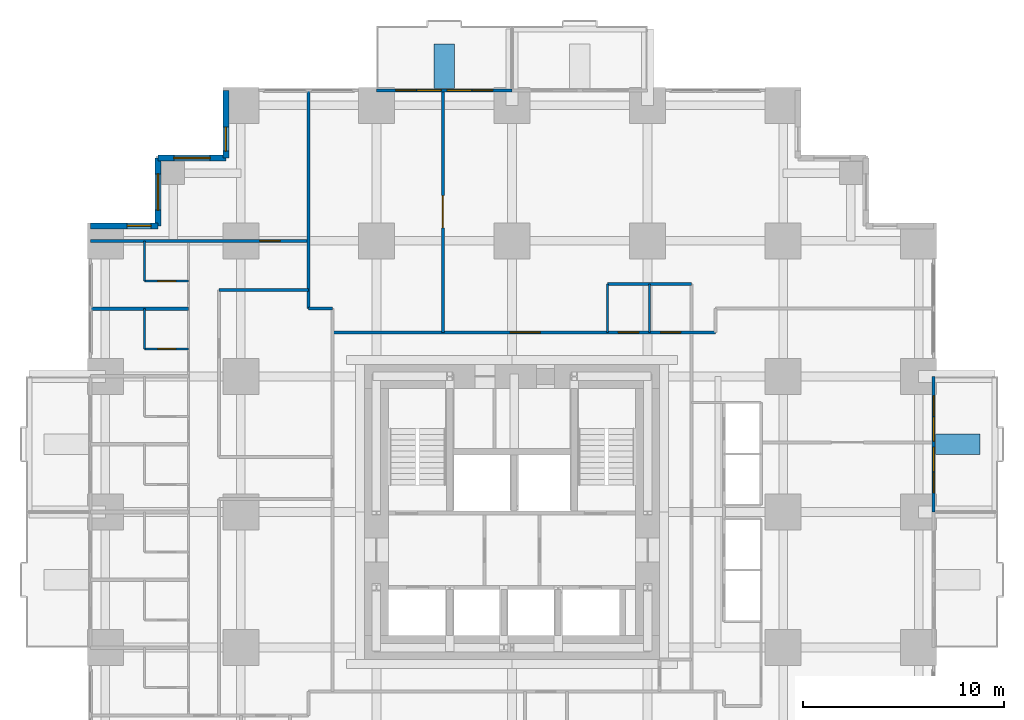
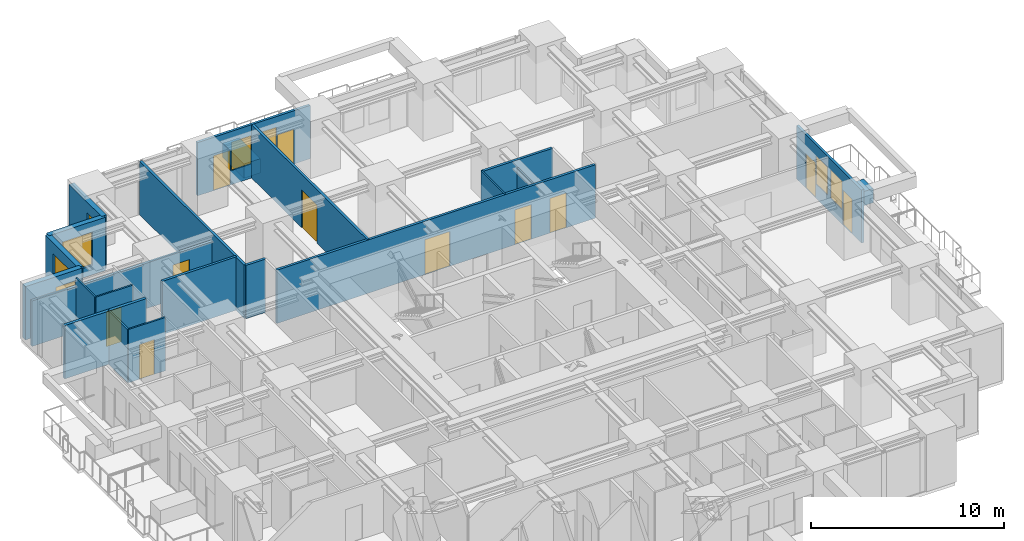
# One storey, part 10 of 13: 22 walls, 11 doors, 8 windows, 19 openings.
"""IFC4 building model written with IfcOpenShell, lengths in metres."""

from ifc_helpers import new_model, si_unit, direction, frame, frame_2d, origin, place, context, subcontext, project, spatial, rectangle, extrude, material, layer, layer_set, type_object, element, fill, save


model = new_model("IFC4")

# Units and contexts
model_context = context("Model", 3, precision=1e-05, world=origin(), true_north=direction((0.0, 1.0)))
body_context = subcontext(model_context, "Body", "Model", "MODEL_VIEW")
ifc_project = project(units=[si_unit("LENGTHUNIT", "METRE"), si_unit("AREAUNIT", "SQUARE_METRE"), si_unit("VOLUMEUNIT", "CUBIC_METRE"), si_unit("PLANEANGLEUNIT", "RADIAN"), si_unit("MASSUNIT", "GRAM", prefix="KILO")], contexts=[model_context])

# Site, building, storey
site_placement = place(None, origin())
site = spatial("IfcSite", under=ifc_project, at=site_placement, CompositionType="ELEMENT")
building_placement = place(site_placement, origin())
building = spatial("IfcBuilding", under=site, at=building_placement, Name="Nyansa Garden Tower", CompositionType="ELEMENT")
storey_placement = place(building_placement, frame((0.0, 0.0, 46.800048828125)))
storey = spatial("IfcBuildingStorey", under=building, at=storey_placement, Name="L12", CompositionType="ELEMENT", Elevation=46.800048828125)

# Wall
ifc_material_1 = material(Name="Dense blockwork, plastered both sides, 55 dB", Category="masonry")
ifc_layer_1 = layer(ifc_material_1, 0.175048828125)
ifc_layer_set_1 = layer_set([ifc_layer_1], Name="Acoustic party wall PW175")
wall_type_1 = type_object("IfcWallType", Name="Acoustic party wall PW175", PredefinedType="PARTITIONING", material=ifc_layer_set_1)
wall_1_placement = place(storey_placement, frame((-0.73388671875, 30.375, 0.0), z_axis=(0.0, 0.0, 1.0), x_axis=(1.0, 0.0, 0.0)))
element("IfcWall", 1, at=wall_1_placement, inside=storey, type_object=wall_type_1, Name="Party wall", PredefinedType="PARTITIONING", context=body_context, shape_type="SweptSolid", body=[
    extrude(rectangle(XDim=4.8837890625, YDim=0.175048828125, at=frame_2d((2.44189453125, 0.0))), origin(), (0.0, 0.0, 1.0), 3.375),
])

# Wall, openings, doors, windows
ifc_material_2 = material(Name="Black aluminium framed glazed screen", Category="aluminium")
ifc_layer_2 = layer(ifc_material_2, 0.14990234375)
ifc_layer_set_2 = layer_set([ifc_layer_2], Name="Balcony screen wall BW150")
wall_type_2 = type_object("IfcWallType", Name="Balcony screen wall BW150", PredefinedType="SOLIDWALL", material=ifc_layer_set_2)
wall_2_placement = place(storey_placement, frame((41.25, 27.0, 0.0), z_axis=(0.0, 0.0, 1.0), x_axis=(0.0, -1.0, 0.0)))
wall_2 = element("IfcWall", 2, at=wall_2_placement, inside=storey, type_object=wall_type_2, Name="Glazed screen wall L12 E", PredefinedType="SOLIDWALL", context=body_context, shape_type="SweptSolid", body=[
    extrude(rectangle(XDim=6.75, YDim=0.14990234375, at=frame_2d((3.375, 0.0))), origin(), (0.0, 0.0, 1.0), 3.375),
])
opening_1_placement = place(wall_2_placement, frame((0.96240234375, 0.0, 0.0)))
opening_1 = element("IfcOpeningElement", 3, at=opening_1_placement, cuts=wall_2, Name="Opening D20", PredefinedType="OPENING", context=body_context, shape_type="SweptSolid", body=[
    extrude(rectangle(XDim=1.0, YDim=2.199951171875, at=frame_2d((0.5, 1.10009765625))), frame((0.0, 0.0849609375, 0.0), z_axis=(0.0, -1.0, 0.0), x_axis=(1.0, 0.0, 0.0)), (0.0, 0.0, 1.0), 0.169921875),
])
opening_2_placement = place(wall_2_placement, frame((2.02490234375, 0.0, 0.89990234375)))
opening_2 = element("IfcOpeningElement", 4, at=opening_2_placement, cuts=wall_2, Name="Opening W6", PredefinedType="OPENING", context=body_context, shape_type="SweptSolid", body=[
    extrude(rectangle(XDim=1.199951171875, YDim=1.800048828125, at=frame_2d((0.60009765625, 0.89990234375))), frame((0.0, 0.0849609375, 0.0), z_axis=(0.0, -1.0, 0.0), x_axis=(1.0, 0.0, 0.0)), (0.0, 0.0, 1.0), 0.169921875),
])
opening_3_placement = place(wall_2_placement, frame((4.78759765625, 0.0, 0.0)))
opening_3 = element("IfcOpeningElement", 5, at=opening_3_placement, cuts=wall_2, Name="Opening D20", PredefinedType="OPENING", context=body_context, shape_type="SweptSolid", body=[
    extrude(rectangle(XDim=1.0, YDim=2.199951171875, at=frame_2d((0.5, 1.10009765625))), frame((0.0, 0.0849609375, 0.0), z_axis=(0.0, -1.0, 0.0), x_axis=(1.0, 0.0, 0.0)), (0.0, 0.0, 1.0), 0.169921875),
])
opening_4_placement = place(wall_2_placement, frame((3.52490234375, 0.0, 0.89990234375)))
opening_4 = element("IfcOpeningElement", 6, at=opening_4_placement, cuts=wall_2, Name="Opening W6", PredefinedType="OPENING", context=body_context, shape_type="SweptSolid", body=[
    extrude(rectangle(XDim=1.199951171875, YDim=1.800048828125, at=frame_2d((0.60009765625, 0.89990234375))), frame((0.0, 0.0849609375, 0.0), z_axis=(0.0, -1.0, 0.0), x_axis=(1.0, 0.0, 0.0)), (0.0, 0.0, 1.0), 0.169921875),
])
ifc_material_3 = material(Name="Black aluminium framed glazed door", Category="aluminium")
door_type_1 = type_object("IfcDoorType", Name="Balcony door D20 1000x2200", OperationType="NOTDEFINED", PredefinedType="DOOR", material=ifc_material_3)
door_1_placement = place(opening_1_placement, origin())
door_1 = element("IfcDoor", 7, at=door_1_placement, inside=storey, type_object=door_type_1, Name="Balcony door L12", OperationType="SINGLE_SWING_LEFT", OverallHeight=2.199951171875, OverallWidth=1.0, PredefinedType="DOOR", context=body_context, shape_type="SweptSolid", body=[
    extrude(rectangle(XDim=1.0, YDim=2.199951171875, at=frame_2d((0.5, 1.10009765625))), frame((0.0, 0.02490234375, 0.0), z_axis=(0.0, -1.0, 0.0), x_axis=(1.0, 0.0, 0.0)), (0.0, 0.0, 1.0), 0.050048828125),
])
fill(opening_1, door_1)
door_2_placement = place(opening_3_placement, origin())
door_2 = element("IfcDoor", 8, at=door_2_placement, inside=storey, type_object=door_type_1, Name="Balcony door L12", OperationType="SINGLE_SWING_RIGHT", OverallHeight=2.199951171875, OverallWidth=1.0, PredefinedType="DOOR", context=body_context, shape_type="SweptSolid", body=[
    extrude(rectangle(XDim=1.0, YDim=2.199951171875, at=frame_2d((0.5, 1.10009765625))), frame((0.0, 0.02490234375, 0.0), z_axis=(0.0, -1.0, 0.0), x_axis=(1.0, 0.0, 0.0)), (0.0, 0.0, 1.0), 0.050048828125),
])
fill(opening_3, door_2)
ifc_material_4 = material(Name="Black aluminium frame, dark tinted double glazing", Category="aluminium")
window_type_1 = type_object("IfcWindowType", Name="Balcony window W6 1200x1800", PartitioningType="SINGLE_PANEL", PredefinedType="WINDOW", material=ifc_material_4)
window_1_placement = place(opening_2_placement, origin())
window_1 = element("IfcWindow", 9, at=window_1_placement, inside=storey, type_object=window_type_1, Name="Window L12", OverallHeight=1.800048828125, OverallWidth=1.199951171875, PartitioningType="SINGLE_PANEL", PredefinedType="WINDOW", context=body_context, shape_type="SweptSolid", body=[
    extrude(rectangle(XDim=1.199951171875, YDim=1.800048828125, at=frame_2d((0.60009765625, 0.89990234375))), frame((0.0, 0.030029296875, 0.0), z_axis=(0.0, -1.0, 0.0), x_axis=(1.0, 0.0, 0.0)), (0.0, 0.0, 1.0), 0.06005859375),
])
fill(opening_2, window_1)
window_2_placement = place(opening_4_placement, origin())
window_2 = element("IfcWindow", 10, at=window_2_placement, inside=storey, type_object=window_type_1, Name="Window L12", OverallHeight=1.800048828125, OverallWidth=1.199951171875, PartitioningType="SINGLE_PANEL", PredefinedType="WINDOW", context=body_context, shape_type="SweptSolid", body=[
    extrude(rectangle(XDim=1.199951171875, YDim=1.800048828125, at=frame_2d((0.60009765625, 0.89990234375))), frame((0.0, 0.030029296875, 0.0), z_axis=(0.0, -1.0, 0.0), x_axis=(1.0, 0.0, 0.0)), (0.0, 0.0, 1.0), 0.06005859375),
])
fill(opening_4, window_2)

wall_3_placement = place(storey_placement, frame((13.5, 41.25, 0.0), z_axis=(0.0, 0.0, 1.0), x_axis=(1.0, 0.0, 0.0)))
wall_3 = element("IfcWall", 11, at=wall_3_placement, inside=storey, type_object=wall_type_2, Name="Glazed screen wall L12 N", PredefinedType="SOLIDWALL", context=body_context, shape_type="SweptSolid", body=[
    extrude(rectangle(XDim=6.75, YDim=0.14990234375, at=frame_2d((3.375, 0.0))), origin(), (0.0, 0.0, 1.0), 3.375),
])
opening_5_placement = place(wall_3_placement, frame((0.96240234375, 0.0, 0.0)))
opening_5 = element("IfcOpeningElement", 12, at=opening_5_placement, cuts=wall_3, Name="Opening D20", PredefinedType="OPENING", context=body_context, shape_type="SweptSolid", body=[
    extrude(rectangle(XDim=1.0, YDim=2.199951171875, at=frame_2d((0.5, 1.10009765625))), frame((0.0, 0.0849609375, 0.0), z_axis=(0.0, -1.0, 0.0), x_axis=(1.0, 0.0, 0.0)), (0.0, 0.0, 1.0), 0.169921875),
])
opening_6_placement = place(wall_3_placement, frame((2.02490234375, 0.0, 0.89990234375)))
opening_6 = element("IfcOpeningElement", 13, at=opening_6_placement, cuts=wall_3, Name="Opening W6", PredefinedType="OPENING", context=body_context, shape_type="SweptSolid", body=[
    extrude(rectangle(XDim=1.199951171875, YDim=1.800048828125, at=frame_2d((0.60009765625, 0.89990234375))), frame((0.0, 0.0849609375, 0.0), z_axis=(0.0, -1.0, 0.0), x_axis=(1.0, 0.0, 0.0)), (0.0, 0.0, 1.0), 0.169921875),
])
opening_7_placement = place(wall_3_placement, frame((4.78759765625, 0.0, 0.0)))
opening_7 = element("IfcOpeningElement", 14, at=opening_7_placement, cuts=wall_3, Name="Opening D20", PredefinedType="OPENING", context=body_context, shape_type="SweptSolid", body=[
    extrude(rectangle(XDim=1.0, YDim=2.199951171875, at=frame_2d((0.5, 1.10009765625))), frame((0.0, 0.0849609375, 0.0), z_axis=(0.0, -1.0, 0.0), x_axis=(1.0, 0.0, 0.0)), (0.0, 0.0, 1.0), 0.169921875),
])
opening_8_placement = place(wall_3_placement, frame((3.52490234375, 0.0, 0.89990234375)))
opening_8 = element("IfcOpeningElement", 15, at=opening_8_placement, cuts=wall_3, Name="Opening W6", PredefinedType="OPENING", context=body_context, shape_type="SweptSolid", body=[
    extrude(rectangle(XDim=1.199951171875, YDim=1.800048828125, at=frame_2d((0.60009765625, 0.89990234375))), frame((0.0, 0.0849609375, 0.0), z_axis=(0.0, -1.0, 0.0), x_axis=(1.0, 0.0, 0.0)), (0.0, 0.0, 1.0), 0.169921875),
])
door_3_placement = place(opening_5_placement, origin())
door_3 = element("IfcDoor", 16, at=door_3_placement, inside=storey, type_object=door_type_1, Name="Balcony door L12", OperationType="SINGLE_SWING_LEFT", OverallHeight=2.199951171875, OverallWidth=1.0, PredefinedType="DOOR", context=body_context, shape_type="SweptSolid", body=[
    extrude(rectangle(XDim=1.0, YDim=2.199951171875, at=frame_2d((0.5, 1.10009765625))), frame((0.0, 0.02490234375, 0.0), z_axis=(0.0, -1.0, 0.0), x_axis=(1.0, 0.0, 0.0)), (0.0, 0.0, 1.0), 0.050048828125),
])
fill(opening_5, door_3)
door_4_placement = place(opening_7_placement, origin())
door_4 = element("IfcDoor", 17, at=door_4_placement, inside=storey, type_object=door_type_1, Name="Balcony door L12", OperationType="SINGLE_SWING_RIGHT", OverallHeight=2.199951171875, OverallWidth=1.0, PredefinedType="DOOR", context=body_context, shape_type="SweptSolid", body=[
    extrude(rectangle(XDim=1.0, YDim=2.199951171875, at=frame_2d((0.5, 1.10009765625))), frame((0.0, 0.02490234375, 0.0), z_axis=(0.0, -1.0, 0.0), x_axis=(1.0, 0.0, 0.0)), (0.0, 0.0, 1.0), 0.050048828125),
])
fill(opening_7, door_4)
window_3_placement = place(opening_6_placement, origin())
window_3 = element("IfcWindow", 18, at=window_3_placement, inside=storey, type_object=window_type_1, Name="Window L12", OverallHeight=1.800048828125, OverallWidth=1.199951171875, PartitioningType="SINGLE_PANEL", PredefinedType="WINDOW", context=body_context, shape_type="SweptSolid", body=[
    extrude(rectangle(XDim=1.199951171875, YDim=1.800048828125, at=frame_2d((0.60009765625, 0.89990234375))), frame((0.0, 0.030029296875, 0.0), z_axis=(0.0, -1.0, 0.0), x_axis=(1.0, 0.0, 0.0)), (0.0, 0.0, 1.0), 0.06005859375),
])
fill(opening_6, window_3)
window_4_placement = place(opening_8_placement, origin())
window_4 = element("IfcWindow", 19, at=window_4_placement, inside=storey, type_object=window_type_1, Name="Window L12", OverallHeight=1.800048828125, OverallWidth=1.199951171875, PartitioningType="SINGLE_PANEL", PredefinedType="WINDOW", context=body_context, shape_type="SweptSolid", body=[
    extrude(rectangle(XDim=1.199951171875, YDim=1.800048828125, at=frame_2d((0.60009765625, 0.89990234375))), frame((0.0, 0.030029296875, 0.0), z_axis=(0.0, -1.0, 0.0), x_axis=(1.0, 0.0, 0.0)), (0.0, 0.0, 1.0), 0.06005859375),
])
fill(opening_8, window_4)

# Wall, opening, door
ifc_material_5 = material(Name="Blockwork, plastered both sides", Category="masonry")
ifc_layer_3 = layer(ifc_material_5, 0.14990234375)
ifc_layer_set_3 = layer_set([ifc_layer_3], Name="Partition PW150")
wall_type_3 = type_object("IfcWallType", Name="Partition PW150", PredefinedType="PARTITIONING", material=ifc_layer_set_3)
wall_4_placement = place(storey_placement, frame((-0.73388671875, 33.75, 0.0), z_axis=(0.0, 0.0, 1.0), x_axis=(1.0, 0.0, 0.0)))
wall_4 = element("IfcWall", 20, at=wall_4_placement, inside=storey, type_object=wall_type_3, Name="Partition", PredefinedType="PARTITIONING", context=body_context, shape_type="SweptSolid", body=[
    extrude(rectangle(XDim=10.85888671875, YDim=0.14990234375, at=frame_2d((5.429443359375, 0.0))), origin(), (0.0, 0.0, 1.0), 2.876953125),
])
opening_9_placement = place(wall_4_placement, frame((8.43408203125, 0.0, 0.0)))
opening_9 = element("IfcOpeningElement", 21, at=opening_9_placement, cuts=wall_4, Name="Opening D03", PredefinedType="OPENING", context=body_context, shape_type="SweptSolid", body=[
    extrude(rectangle(XDim=1.0, YDim=2.199951171875, at=frame_2d((0.5, 1.10009765625))), frame((0.0, 0.0849609375, 0.0), z_axis=(0.0, -1.0, 0.0), x_axis=(1.0, 0.0, 0.0)), (0.0, 0.0, 1.0), 0.169921875),
])
ifc_material_6 = material(Name="Timber flush door, 60 minute fire resisting", Category="wood")
door_type_2 = type_object("IfcDoorType", Name="Cluster entrance door D03 1000x2200", OperationType="SINGLE_SWING_LEFT", PredefinedType="DOOR", material=ifc_material_6)
door_5_placement = place(opening_9_placement, origin())
door_5 = element("IfcDoor", 22, at=door_5_placement, inside=storey, type_object=door_type_2, Name="Door L12-057", OperationType="SINGLE_SWING_LEFT", OverallHeight=2.199951171875, OverallWidth=1.0, PredefinedType="DOOR", context=body_context, shape_type="SweptSolid", body=[
    extrude(rectangle(XDim=1.0, YDim=2.199951171875, at=frame_2d((0.5, 1.10009765625))), frame((0.0, 0.02490234375, 0.0), z_axis=(0.0, -1.0, 0.0), x_axis=(1.0, 0.0, 0.0)), (0.0, 0.0, 1.0), 0.050048828125),
])
fill(opening_9, door_5)

# Walls
wall_5_placement = place(storey_placement, frame((5.64990234375, 31.300048828125, 0.0), z_axis=(0.0, 0.0, 1.0), x_axis=(1.0, 0.0, 0.0)))
element("IfcWall", 23, at=wall_5_placement, inside=storey, type_object=wall_type_3, Name="Partition", PredefinedType="PARTITIONING", context=body_context, shape_type="SweptSolid", body=[
    extrude(rectangle(XDim=4.47509765625, YDim=0.14990234375, at=frame_2d((2.237548828125, 0.0))), origin(), (0.0, 0.0, 1.0), 3.375),
])
wall_6_placement = place(storey_placement, frame((10.125, 30.375, 0.0), z_axis=(0.0, 0.0, 1.0), x_axis=(0.0, 1.0, 0.0)))
element("IfcWall", 24, at=wall_6_placement, inside=storey, type_object=wall_type_3, Name="Partition", PredefinedType="PARTITIONING", context=body_context, shape_type="SweptSolid", body=[
    extrude(rectangle(XDim=10.85888671875, YDim=0.14990234375, at=frame_2d((5.429443359375, 0.0))), origin(), (0.0, 0.0, 1.0), 3.375),
])
wall_7_placement = place(storey_placement, frame((10.125, 30.375, 0.0), z_axis=(0.0, 0.0, 1.0), x_axis=(1.0, 0.0, 0.0)))
element("IfcWall", 25, at=wall_7_placement, inside=storey, type_object=wall_type_3, Name="Partition", PredefinedType="PARTITIONING", context=body_context, shape_type="SweptSolid", body=[
    extrude(rectangle(XDim=1.175048828125, YDim=0.14990234375, at=frame_2d((0.58740234375, 0.0))), origin(), (0.0, 0.0, 1.0), 3.375),
])

# Wall, openings, doors
wall_8_placement = place(storey_placement, frame((11.300048828125, 29.199951171875, 0.0), z_axis=(0.0, 0.0, 1.0), x_axis=(1.0, 0.0, 0.0)))
wall_8 = element("IfcWall", 26, at=wall_8_placement, inside=storey, type_object=wall_type_3, Name="Partition", PredefinedType="PARTITIONING", context=body_context, shape_type="SweptSolid", body=[
    extrude(rectangle(XDim=19.074951171875, YDim=0.14990234375, at=frame_2d((9.53759765625, 0.0))), origin(), (0.0, 0.0, 1.0), 3.375),
])
opening_10_placement = place(wall_8_placement, frame((14.25, 0.0, 0.0)))
opening_10 = element("IfcOpeningElement", 27, at=opening_10_placement, cuts=wall_8, Name="Opening D08", PredefinedType="OPENING", context=body_context, shape_type="SweptSolid", body=[
    extrude(rectangle(XDim=1.0, YDim=2.199951171875, at=frame_2d((0.5, 1.10009765625))), frame((0.0, 0.0849609375, 0.0), z_axis=(0.0, -1.0, 0.0), x_axis=(1.0, 0.0, 0.0)), (0.0, 0.0, 1.0), 0.169921875),
])
opening_11_placement = place(wall_8_placement, frame((16.35009765625, 0.0, 0.0)))
opening_11 = element("IfcOpeningElement", 28, at=opening_11_placement, cuts=wall_8, Name="Opening D08", PredefinedType="OPENING", context=body_context, shape_type="SweptSolid", body=[
    extrude(rectangle(XDim=1.0, YDim=2.199951171875, at=frame_2d((0.5, 1.10009765625))), frame((0.0, 0.0849609375, 0.0), z_axis=(0.0, -1.0, 0.0), x_axis=(1.0, 0.0, 0.0)), (0.0, 0.0, 1.0), 0.169921875),
])
opening_12_placement = place(wall_8_placement, frame((8.85888671875, 0.0, 0.0)))
opening_12 = element("IfcOpeningElement", 29, at=opening_12_placement, cuts=wall_8, Name="Opening D10", PredefinedType="OPENING", context=body_context, shape_type="SweptSolid", body=[
    extrude(rectangle(XDim=1.5, YDim=2.199951171875, at=frame_2d((0.75, 1.10009765625))), frame((0.0, 0.0849609375, 0.0), z_axis=(0.0, -1.0, 0.0), x_axis=(1.0, 0.0, 0.0)), (0.0, 0.0, 1.0), 0.169921875),
])
ifc_material_7 = material(Name="Timber flush door, outward opening", Category="wood")
door_type_3 = type_object("IfcDoorType", Name="Accessible WC door D08 1000x2200", OperationType="SINGLE_SWING_LEFT", PredefinedType="DOOR", material=ifc_material_7)
door_6_placement = place(opening_10_placement, origin())
door_6 = element("IfcDoor", 30, at=door_6_placement, inside=storey, type_object=door_type_3, Name="Door L12-039", OperationType="SINGLE_SWING_LEFT", OverallHeight=2.199951171875, OverallWidth=1.0, PredefinedType="DOOR", context=body_context, shape_type="SweptSolid", body=[
    extrude(rectangle(XDim=1.0, YDim=2.199951171875, at=frame_2d((0.5, 1.10009765625))), frame((0.0, 0.02490234375, 0.0), z_axis=(0.0, -1.0, 0.0), x_axis=(1.0, 0.0, 0.0)), (0.0, 0.0, 1.0), 0.050048828125),
])
fill(opening_10, door_6)
door_7_placement = place(opening_11_placement, origin())
door_7 = element("IfcDoor", 31, at=door_7_placement, inside=storey, type_object=door_type_3, Name="Door L12-040", OperationType="SINGLE_SWING_LEFT", OverallHeight=2.199951171875, OverallWidth=1.0, PredefinedType="DOOR", context=body_context, shape_type="SweptSolid", body=[
    extrude(rectangle(XDim=1.0, YDim=2.199951171875, at=frame_2d((0.5, 1.10009765625))), frame((0.0, 0.02490234375, 0.0), z_axis=(0.0, -1.0, 0.0), x_axis=(1.0, 0.0, 0.0)), (0.0, 0.0, 1.0), 0.050048828125),
])
fill(opening_11, door_7)
ifc_material_8 = material(Name="Timber glazed door, 60 minute fire resisting", Category="wood")
door_type_4 = type_object("IfcDoorType", Name="Lounge door D10 1500x2200", OperationType="DOUBLE_DOOR_SINGLE_SWING", PredefinedType="DOOR", material=ifc_material_8)
door_8_placement = place(opening_12_placement, origin())
door_8 = element("IfcDoor", 32, at=door_8_placement, inside=storey, type_object=door_type_4, Name="Door L12-042", OperationType="DOUBLE_DOOR_SINGLE_SWING", OverallHeight=2.199951171875, OverallWidth=1.5, PredefinedType="DOOR", context=body_context, shape_type="SweptSolid", body=[
    extrude(rectangle(XDim=1.5, YDim=2.199951171875, at=frame_2d((0.75, 1.10009765625))), frame((0.0, 0.02490234375, 0.0), z_axis=(0.0, -1.0, 0.0), x_axis=(1.0, 0.0, 0.0)), (0.0, 0.0, 1.0), 0.050048828125),
])
fill(opening_12, door_8)

# Wall, opening, door
wall_9_placement = place(storey_placement, frame((16.80908203125, 29.199951171875, 0.0), z_axis=(0.0, 0.0, 1.0), x_axis=(0.0, 1.0, 0.0)))
wall_9 = element("IfcWall", 33, at=wall_9_placement, inside=storey, type_object=wall_type_3, Name="Partition", PredefinedType="PARTITIONING", context=body_context, shape_type="SweptSolid", body=[
    extrude(rectangle(XDim=12.033935546875, YDim=0.14990234375, at=frame_2d((6.01708984375, 0.0))), origin(), (0.0, 0.0, 1.0), 3.375),
])
opening_13_placement = place(wall_9_placement, frame((5.199951171875, 0.0, 0.0)))
opening_13 = element("IfcOpeningElement", 34, at=opening_13_placement, cuts=wall_9, Name="Opening D12", PredefinedType="OPENING", context=body_context, shape_type="SweptSolid", body=[
    extrude(rectangle(XDim=1.60009765625, YDim=2.39990234375, at=frame_2d((0.800048828125, 1.199951171875))), frame((0.0, 0.0849609375, 0.0), z_axis=(0.0, -1.0, 0.0), x_axis=(1.0, 0.0, 0.0)), (0.0, 0.0, 1.0), 0.169921875),
])
ifc_material_9 = material(Name="Black aluminium glazed door, 60 minute fire resisting", Category="aluminium")
door_type_5 = type_object("IfcDoorType", Name="Amenity door D12 1600x2400", OperationType="DOUBLE_DOOR_SINGLE_SWING", PredefinedType="DOOR", material=ifc_material_9)
door_9_placement = place(opening_13_placement, origin())
door_9 = element("IfcDoor", 35, at=door_9_placement, inside=storey, type_object=door_type_5, Name="Door L12-041", OperationType="DOUBLE_DOOR_SINGLE_SWING", OverallHeight=2.39990234375, OverallWidth=1.60009765625, PredefinedType="DOOR", context=body_context, shape_type="SweptSolid", body=[
    extrude(rectangle(XDim=1.60009765625, YDim=2.39990234375, at=frame_2d((0.800048828125, 1.199951171875))), frame((0.0, 0.02490234375, 0.0), z_axis=(0.0, -1.0, 0.0), x_axis=(1.0, 0.0, 0.0)), (0.0, 0.0, 1.0), 0.050048828125),
])
fill(opening_13, door_9)

# Wall
wall_10_placement = place(storey_placement, frame((25.0, 31.60009765625, 0.0), z_axis=(0.0, 0.0, 1.0), x_axis=(1.0, 0.0, 0.0)))
element("IfcWall", 36, at=wall_10_placement, inside=storey, type_object=wall_type_3, Name="Partition", PredefinedType="PARTITIONING", context=body_context, shape_type="SweptSolid", body=[
    extrude(rectangle(XDim=4.199951171875, YDim=0.14990234375, at=frame_2d((2.10009765625, 0.0))), origin(), (0.0, 0.0, 1.0), 3.375),
])

# Wall, opening, window
ifc_material_10 = material(Name="Turquoise glazed tile on concrete blockwork", Category="masonry")
ifc_layer_4 = layer(ifc_material_10, 0.300048828125)
ifc_layer_set_4 = layer_set([ifc_layer_4], Name="Tiled corner wall TW300")
wall_type_4 = type_object("IfcWallType", Name="Tiled corner wall TW300", PredefinedType="SOLIDWALL", material=ifc_layer_set_4)
wall_11_placement = place(storey_placement, frame((6.0, 41.25, 0.0), z_axis=(0.0, 0.0, 1.0), x_axis=(0.0, -1.0, 0.0)))
wall_11 = element("IfcWall", 37, at=wall_11_placement, inside=storey, type_object=wall_type_4, Name="Tiled corner wall L12", PredefinedType="SOLIDWALL", context=body_context, shape_type="SweptSolid", body=[
    extrude(rectangle(XDim=3.375, YDim=0.300048828125, at=frame_2d((1.6875, 0.0))), origin(), (0.0, 0.0, 1.0), 3.375),
])
opening_14_placement = place(wall_11_placement, frame((1.83251953125, 0.0, 0.89990234375)))
opening_14 = element("IfcOpeningElement", 38, at=opening_14_placement, cuts=wall_11, Name="Opening W4", PredefinedType="OPENING", context=body_context, shape_type="SweptSolid", body=[
    extrude(rectangle(XDim=1.199951171875, YDim=1.800048828125, at=frame_2d((0.60009765625, 0.89990234375))), frame((0.0, 0.159912109375, 0.0), z_axis=(0.0, -1.0, 0.0), x_axis=(1.0, 0.0, 0.0)), (0.0, 0.0, 1.0), 0.320068359375),
])
ifc_material_11 = material(Name="Black aluminium frame, dark tinted double glazing", Category="aluminium")
window_type_2 = type_object("IfcWindowType", Name="Window W4 1200x1800", PartitioningType="SINGLE_PANEL", PredefinedType="WINDOW", material=ifc_material_11)
window_5_placement = place(opening_14_placement, origin())
window_5 = element("IfcWindow", 39, at=window_5_placement, inside=storey, type_object=window_type_2, Name="Corner window L12", OverallHeight=1.800048828125, OverallWidth=1.199951171875, PartitioningType="SINGLE_PANEL", PredefinedType="WINDOW", context=body_context, shape_type="SweptSolid", body=[
    extrude(rectangle(XDim=1.199951171875, YDim=1.800048828125, at=frame_2d((0.60009765625, 0.89990234375))), frame((0.0, 0.030029296875, 0.0), z_axis=(0.0, -1.0, 0.0), x_axis=(1.0, 0.0, 0.0)), (0.0, 0.0, 1.0), 0.06005859375),
])
fill(opening_14, window_5)

wall_12_placement = place(storey_placement, frame((6.0, 37.875, 0.0), z_axis=(0.0, 0.0, 1.0), x_axis=(-1.0, 0.0, 0.0)))
wall_12 = element("IfcWall", 40, at=wall_12_placement, inside=storey, type_object=wall_type_4, Name="Tiled corner wall L12", PredefinedType="SOLIDWALL", context=body_context, shape_type="SweptSolid", body=[
    extrude(rectangle(XDim=3.375, YDim=0.300048828125, at=frame_2d((1.6875, 0.0))), origin(), (0.0, 0.0, 1.0), 3.375),
])
opening_15_placement = place(wall_12_placement, frame((0.78759765625, 0.0, 0.60009765625)))
opening_15 = element("IfcOpeningElement", 41, at=opening_15_placement, cuts=wall_12, Name="Opening W2", PredefinedType="OPENING", context=body_context, shape_type="SweptSolid", body=[
    extrude(rectangle(XDim=1.800048828125, YDim=2.10009765625, at=frame_2d((0.89990234375, 1.050048828125))), frame((0.0, 0.159912109375, 0.0), z_axis=(0.0, -1.0, 0.0), x_axis=(1.0, 0.0, 0.0)), (0.0, 0.0, 1.0), 0.320068359375),
])
ifc_material_12 = material(Name="Black aluminium frame, dark tinted double glazing", Category="aluminium")
window_type_3 = type_object("IfcWindowType", Name="Window W2 1800x2100", PartitioningType="SINGLE_PANEL", PredefinedType="WINDOW", material=ifc_material_12)
window_6_placement = place(opening_15_placement, origin())
window_6 = element("IfcWindow", 42, at=window_6_placement, inside=storey, type_object=window_type_3, Name="Corner window L12", OverallHeight=2.10009765625, OverallWidth=1.800048828125, PartitioningType="SINGLE_PANEL", PredefinedType="WINDOW", context=body_context, shape_type="SweptSolid", body=[
    extrude(rectangle(XDim=1.800048828125, YDim=2.10009765625, at=frame_2d((0.89990234375, 1.050048828125))), frame((0.0, 0.030029296875, 0.0), z_axis=(0.0, -1.0, 0.0), x_axis=(1.0, 0.0, 0.0)), (0.0, 0.0, 1.0), 0.06005859375),
])
fill(opening_15, window_6)

wall_13_placement = place(storey_placement, frame((2.625, 37.875, 0.0), z_axis=(0.0, 0.0, 1.0), x_axis=(0.0, -1.0, 0.0)))
wall_13 = element("IfcWall", 43, at=wall_13_placement, inside=storey, type_object=wall_type_4, Name="Tiled corner wall L12", PredefinedType="SOLIDWALL", context=body_context, shape_type="SweptSolid", body=[
    extrude(rectangle(XDim=3.375, YDim=0.300048828125, at=frame_2d((1.6875, 0.0))), origin(), (0.0, 0.0, 1.0), 3.375),
])
opening_16_placement = place(wall_13_placement, frame((0.78759765625, 0.0, 0.60009765625)))
opening_16 = element("IfcOpeningElement", 44, at=opening_16_placement, cuts=wall_13, Name="Opening W2", PredefinedType="OPENING", context=body_context, shape_type="SweptSolid", body=[
    extrude(rectangle(XDim=1.800048828125, YDim=2.10009765625, at=frame_2d((0.89990234375, 1.050048828125))), frame((0.0, 0.159912109375, 0.0), z_axis=(0.0, -1.0, 0.0), x_axis=(1.0, 0.0, 0.0)), (0.0, 0.0, 1.0), 0.320068359375),
])
window_7_placement = place(opening_16_placement, origin())
window_7 = element("IfcWindow", 45, at=window_7_placement, inside=storey, type_object=window_type_3, Name="Corner window L12", OverallHeight=2.10009765625, OverallWidth=1.800048828125, PartitioningType="SINGLE_PANEL", PredefinedType="WINDOW", context=body_context, shape_type="SweptSolid", body=[
    extrude(rectangle(XDim=1.800048828125, YDim=2.10009765625, at=frame_2d((0.89990234375, 1.050048828125))), frame((0.0, 0.030029296875, 0.0), z_axis=(0.0, -1.0, 0.0), x_axis=(1.0, 0.0, 0.0)), (0.0, 0.0, 1.0), 0.06005859375),
])
fill(opening_16, window_7)

wall_14_placement = place(storey_placement, frame((2.625, 34.5, 0.0), z_axis=(0.0, 0.0, 1.0), x_axis=(-1.0, 0.0, 0.0)))
wall_14 = element("IfcWall", 46, at=wall_14_placement, inside=storey, type_object=wall_type_4, Name="Tiled corner wall L12", PredefinedType="SOLIDWALL", context=body_context, shape_type="SweptSolid", body=[
    extrude(rectangle(XDim=3.375, YDim=0.300048828125, at=frame_2d((1.6875, 0.0))), origin(), (0.0, 0.0, 1.0), 3.375),
])
opening_17_placement = place(wall_14_placement, frame((0.342529296875, 0.0, 0.89990234375)))
opening_17 = element("IfcOpeningElement", 47, at=opening_17_placement, cuts=wall_14, Name="Opening W4", PredefinedType="OPENING", context=body_context, shape_type="SweptSolid", body=[
    extrude(rectangle(XDim=1.199951171875, YDim=1.800048828125, at=frame_2d((0.60009765625, 0.89990234375))), frame((0.0, 0.159912109375, 0.0), z_axis=(0.0, -1.0, 0.0), x_axis=(1.0, 0.0, 0.0)), (0.0, 0.0, 1.0), 0.320068359375),
])
window_8_placement = place(opening_17_placement, origin())
window_8 = element("IfcWindow", 48, at=window_8_placement, inside=storey, type_object=window_type_2, Name="Corner window L12", OverallHeight=1.800048828125, OverallWidth=1.199951171875, PartitioningType="SINGLE_PANEL", PredefinedType="WINDOW", context=body_context, shape_type="SweptSolid", body=[
    extrude(rectangle(XDim=1.199951171875, YDim=1.800048828125, at=frame_2d((0.60009765625, 0.89990234375))), frame((0.0, 0.030029296875, 0.0), z_axis=(0.0, -1.0, 0.0), x_axis=(1.0, 0.0, 0.0)), (0.0, 0.0, 1.0), 0.06005859375),
])
fill(opening_17, window_8)

# Walls
ifc_material_13 = material(Name="Concrete C40/50 planter, waterproofed", Category="concrete")
ifc_layer_5 = layer(ifc_material_13, 1.0)
ifc_layer_set_5 = layer_set([ifc_layer_5], Name="Tree planter TP1")
wall_type_5 = type_object("IfcWallType", Name="Tree planter TP1", PredefinedType="USERDEFINED", material=ifc_layer_set_5)
for number, where, z_axis, x_axis, name in (
    (49, (41.35009765625, 23.625, 0.0), (0.0, 0.0, 1.0), (1.0, 0.0, 0.0), "Tree planter L12"),
    (50, (16.875, 41.35009765625, 0.0), (0.0, 0.0, 1.0), (0.0, 1.0, 0.0), "Tree planter L12"),
):
    element("IfcWall", number, at=place(storey_placement, frame(where, z_axis=z_axis, x_axis=x_axis)), inside=storey, type_object=wall_type_5, Name=name, ObjectType="TREE PLANTER", PredefinedType="USERDEFINED", context=body_context, shape_type="SweptSolid", body=[
        extrude(rectangle(XDim=2.199951171875, YDim=1.0, at=frame_2d((1.10009765625, 0.0))), origin(), (0.0, 0.0, 1.0), 0.89990234375),
    ])
ifc_material_14 = material(Name="Moisture resistant board on steel studs, tiled", Category="steel")
ifc_layer_6 = layer(ifc_material_14, 0.10009765625)
ifc_layer_set_6 = layer_set([ifc_layer_6], Name="Wet wall PW100")
wall_type_6 = type_object("IfcWallType", Name="Wet wall PW100", PredefinedType="PARTITIONING", material=ifc_layer_set_6)
wall_15_placement = place(storey_placement, frame((1.949951171875, 28.375, 0.0), z_axis=(0.0, 0.0, 1.0), x_axis=(0.0, 1.0, 0.0)))
element("IfcWall", 51, at=wall_15_placement, inside=storey, type_object=wall_type_6, Name="Wet wall", PredefinedType="PARTITIONING", context=body_context, shape_type="SweptSolid", body=[
    extrude(rectangle(XDim=2.0, YDim=0.10009765625, at=frame_2d((1.0, 0.0))), origin(), (0.0, 0.0, 1.0), 3.375),
])

# Wall, opening, door
wall_16_placement = place(storey_placement, frame((1.949951171875, 28.375, 0.0), z_axis=(0.0, 0.0, 1.0), x_axis=(1.0, 0.0, 0.0)))
wall_16 = element("IfcWall", 52, at=wall_16_placement, inside=storey, type_object=wall_type_6, Name="Wet wall", PredefinedType="PARTITIONING", context=body_context, shape_type="SweptSolid", body=[
    extrude(rectangle(XDim=2.199951171875, YDim=0.10009765625, at=frame_2d((1.10009765625, 0.0))), origin(), (0.0, 0.0, 1.0), 3.375),
])
opening_18_placement = place(wall_16_placement, frame((0.64990234375, 0.0, 0.0)))
opening_18 = element("IfcOpeningElement", 53, at=opening_18_placement, cuts=wall_16, Name="Opening D02", PredefinedType="OPENING", context=body_context, shape_type="SweptSolid", body=[
    extrude(rectangle(XDim=0.89990234375, YDim=2.199951171875, at=frame_2d((0.449951171875, 1.10009765625))), frame((0.0, 0.06005859375, 0.0), z_axis=(0.0, -1.0, 0.0), x_axis=(1.0, 0.0, 0.0)), (0.0, 0.0, 1.0), 0.1201171875),
])
ifc_material_15 = material(Name="Timber flush door", Category="wood")
door_type_6 = type_object("IfcDoorType", Name="En-suite door D02 900x2200", OperationType="SINGLE_SWING_RIGHT", PredefinedType="DOOR", material=ifc_material_15)
door_10_placement = place(opening_18_placement, origin())
door_10 = element("IfcDoor", 54, at=door_10_placement, inside=storey, type_object=door_type_6, Name="Door L12-054", OperationType="SINGLE_SWING_RIGHT", OverallHeight=2.199951171875, OverallWidth=0.89990234375, PredefinedType="DOOR", context=body_context, shape_type="SweptSolid", body=[
    extrude(rectangle(XDim=0.89990234375, YDim=2.199951171875, at=frame_2d((0.449951171875, 1.10009765625))), frame((0.0, 0.02490234375, 0.0), z_axis=(0.0, -1.0, 0.0), x_axis=(1.0, 0.0, 0.0)), (0.0, 0.0, 1.0), 0.050048828125),
])
fill(opening_18, door_10)

# Wall
wall_17_placement = place(storey_placement, frame((1.949951171875, 31.75, 0.0), z_axis=(0.0, 0.0, 1.0), x_axis=(0.0, 1.0, 0.0)))
element("IfcWall", 55, at=wall_17_placement, inside=storey, type_object=wall_type_6, Name="Wet wall", PredefinedType="PARTITIONING", context=body_context, shape_type="SweptSolid", body=[
    extrude(rectangle(XDim=2.0, YDim=0.10009765625, at=frame_2d((1.0, 0.0))), origin(), (0.0, 0.0, 1.0), 3.375),
])

# Wall, opening, door
wall_18_placement = place(storey_placement, frame((1.949951171875, 31.75, 0.0), z_axis=(0.0, 0.0, 1.0), x_axis=(1.0, 0.0, 0.0)))
wall_18 = element("IfcWall", 56, at=wall_18_placement, inside=storey, type_object=wall_type_6, Name="Wet wall", PredefinedType="PARTITIONING", context=body_context, shape_type="SweptSolid", body=[
    extrude(rectangle(XDim=2.199951171875, YDim=0.10009765625, at=frame_2d((1.10009765625, 0.0))), origin(), (0.0, 0.0, 1.0), 3.375),
])
opening_19_placement = place(wall_18_placement, frame((0.64990234375, 0.0, 0.0)))
opening_19 = element("IfcOpeningElement", 57, at=opening_19_placement, cuts=wall_18, Name="Opening D02", PredefinedType="OPENING", context=body_context, shape_type="SweptSolid", body=[
    extrude(rectangle(XDim=0.89990234375, YDim=2.199951171875, at=frame_2d((0.449951171875, 1.10009765625))), frame((0.0, 0.06005859375, 0.0), z_axis=(0.0, -1.0, 0.0), x_axis=(1.0, 0.0, 0.0)), (0.0, 0.0, 1.0), 0.1201171875),
])
door_11_placement = place(opening_19_placement, origin())
door_11 = element("IfcDoor", 58, at=door_11_placement, inside=storey, type_object=door_type_6, Name="Door L12-056", OperationType="SINGLE_SWING_RIGHT", OverallHeight=2.199951171875, OverallWidth=0.89990234375, PredefinedType="DOOR", context=body_context, shape_type="SweptSolid", body=[
    extrude(rectangle(XDim=0.89990234375, YDim=2.199951171875, at=frame_2d((0.449951171875, 1.10009765625))), frame((0.0, 0.02490234375, 0.0), z_axis=(0.0, -1.0, 0.0), x_axis=(1.0, 0.0, 0.0)), (0.0, 0.0, 1.0), 0.050048828125),
])
fill(opening_19, door_11)

# Walls
wall_19_placement = place(storey_placement, frame((25.0, 29.199951171875, 0.0), z_axis=(0.0, 0.0, 1.0), x_axis=(0.0, 1.0, 0.0)))
element("IfcWall", 59, at=wall_19_placement, inside=storey, type_object=wall_type_6, Name="Wet wall", PredefinedType="PARTITIONING", context=body_context, shape_type="SweptSolid", body=[
    extrude(rectangle(XDim=2.400146484375, YDim=0.10009765625, at=frame_2d((1.2001953125, 0.0))), origin(), (0.0, 0.0, 1.0), 3.375),
])
wall_20_placement = place(storey_placement, frame((27.10009765625, 29.199951171875, 0.0), z_axis=(0.0, 0.0, 1.0), x_axis=(0.0, 1.0, 0.0)))
element("IfcWall", 60, at=wall_20_placement, inside=storey, type_object=wall_type_6, Name="Wet wall", PredefinedType="PARTITIONING", context=body_context, shape_type="SweptSolid", body=[
    extrude(rectangle(XDim=2.400146484375, YDim=0.10009765625, at=frame_2d((1.2001953125, 0.0))), origin(), (0.0, 0.0, 1.0), 2.876953125),
])

save(model, "model.ifc")
